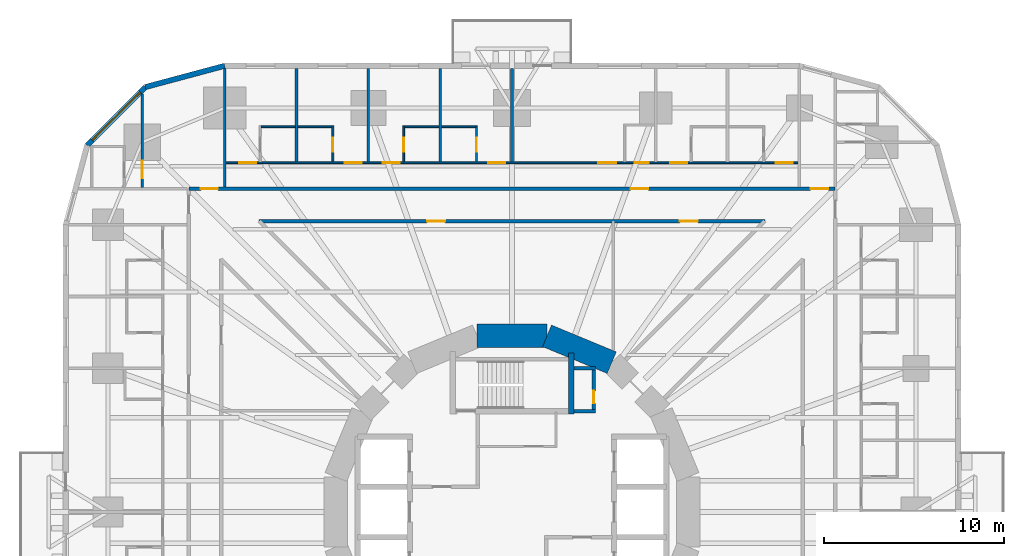
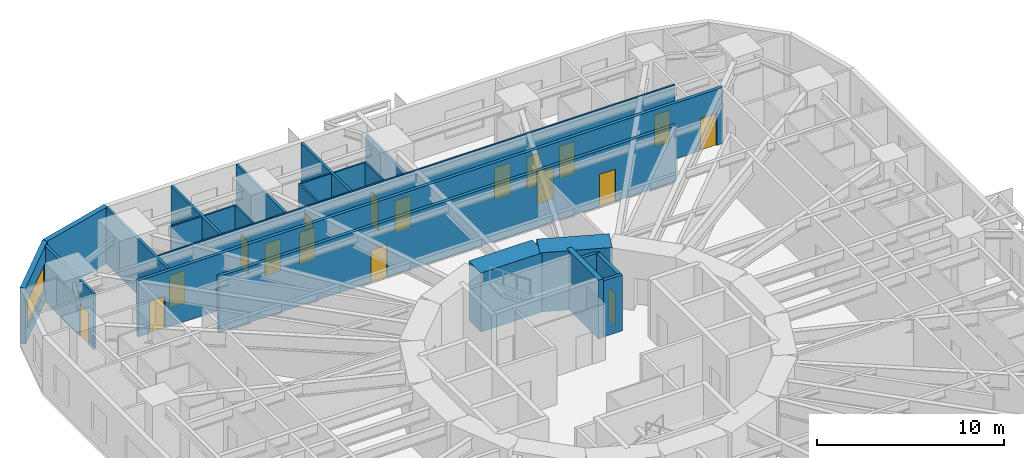
# One storey, part 10 of 14: 24 walls, 18 doors, 1 window, 19 openings.
"""IFC4 building model written with IfcOpenShell, lengths in metres."""

from ifc_helpers import new_model, si_unit, direction, frame, frame_2d, origin, place, context, subcontext, project, spatial, rectangle, extrude, material, layer, layer_set, type_object, element, fill, save


model = new_model("IFC4")

# Units and contexts
model_context = context("Model", 3, precision=1e-05, world=origin(), true_north=direction((0.0, 1.0)))
body_context = subcontext(model_context, "Body", "Model", "MODEL_VIEW")
ifc_project = project(units=[si_unit("LENGTHUNIT", "METRE"), si_unit("AREAUNIT", "SQUARE_METRE"), si_unit("VOLUMEUNIT", "CUBIC_METRE"), si_unit("PLANEANGLEUNIT", "RADIAN"), si_unit("MASSUNIT", "GRAM", prefix="KILO")], contexts=[model_context])

# Site, building, storey
site_placement = place(None, origin())
site = spatial("IfcSite", under=ifc_project, at=site_placement, CompositionType="ELEMENT")
building_placement = place(site_placement, origin())
building = spatial("IfcBuilding", under=site, at=building_placement, Name="Nakasero Lantern House", CompositionType="ELEMENT")
storey_placement = place(building_placement, frame((0.0, 0.0, 31.39990234375)))
storey = spatial("IfcBuildingStorey", under=building, at=storey_placement, Name="L07", CompositionType="ELEMENT", Elevation=31.39990234375)

# Wall, openings, doors
ifc_material_1 = material(Name="Blockwork", Category="masonry")
ifc_layer_1 = layer(ifc_material_1, 0.10009765625)
ifc_layer_set_1 = layer_set([ifc_layer_1], Name="Cluster hall wall 100")
wall_type_1 = type_object("IfcWallType", Name="Cluster hall wall 100", PredefinedType="PARTITIONING", material=ifc_layer_set_1)
wall_1_placement = place(storey_placement, frame((15.925048828125, 19.449951171875, 0.0), z_axis=(0.0, 0.0, 1.0), x_axis=(-1.0, 0.0, 0.0)))
wall_1 = element("IfcWall", 1, at=wall_1_placement, inside=storey, type_object=wall_type_1, Name="Cluster hall wall L07 HW1-0", PredefinedType="PARTITIONING", context=body_context, shape_type="SweptSolid", body=[
    extrude(rectangle(XDim=31.85009765625, YDim=0.10009765625, at=frame_2d((15.925048828125, 0.0))), origin(), (0.0, 0.0, 1.0), 3.650146484375),
])
opening_1_placement = place(wall_1_placement, frame((10.125, 0.0, 0.0)))
opening_1 = element("IfcOpeningElement", 2, at=opening_1_placement, cuts=wall_1, Name="Opening D03", PredefinedType="OPENING", context=body_context, shape_type="SweptSolid", body=[
    extrude(rectangle(XDim=1.0, YDim=2.10009765625, at=frame_2d((0.5, 1.050048828125))), frame((0.0, 0.070068359375, 0.0), z_axis=(0.0, -1.0, 0.0), x_axis=(1.0, 0.0, 0.0)), (0.0, 0.0, 1.0), 0.14013671875),
])
opening_2_placement = place(wall_1_placement, frame((8.300048828125, 0.0, 0.0)))
opening_2 = element("IfcOpeningElement", 3, at=opening_2_placement, cuts=wall_1, Name="Opening D02", PredefinedType="OPENING", context=body_context, shape_type="SweptSolid", body=[
    extrude(rectangle(XDim=0.800048828125, YDim=2.10009765625, at=frame_2d((0.39990234375, 1.050048828125))), frame((0.0, 0.070068359375, 0.0), z_axis=(0.0, -1.0, 0.0), x_axis=(1.0, 0.0, 0.0)), (0.0, 0.0, 1.0), 0.14013671875),
])
opening_3_placement = place(wall_1_placement, frame((0.300048828125, 0.0, 0.0)))
opening_3 = element("IfcOpeningElement", 4, at=opening_3_placement, cuts=wall_1, Name="Opening D01", PredefinedType="OPENING", context=body_context, shape_type="SweptSolid", body=[
    extrude(rectangle(XDim=0.949951171875, YDim=2.10009765625, at=frame_2d((0.47509765625, 1.050048828125))), frame((0.0, 0.070068359375, 0.0), z_axis=(0.0, -1.0, 0.0), x_axis=(1.0, 0.0, 0.0)), (0.0, 0.0, 1.0), 0.14013671875),
])
opening_4_placement = place(wall_1_placement, frame((6.175048828125, 0.0, 0.0)))
opening_4 = element("IfcOpeningElement", 5, at=opening_4_placement, cuts=wall_1, Name="Opening D01", PredefinedType="OPENING", context=body_context, shape_type="SweptSolid", body=[
    extrude(rectangle(XDim=0.949951171875, YDim=2.10009765625, at=frame_2d((0.47509765625, 1.050048828125))), frame((0.0, 0.070068359375, 0.0), z_axis=(0.0, -1.0, 0.0), x_axis=(1.0, 0.0, 0.0)), (0.0, 0.0, 1.0), 0.14013671875),
])
opening_5_placement = place(wall_1_placement, frame((16.300048828125, 0.0, 0.0)))
opening_5 = element("IfcOpeningElement", 6, at=opening_5_placement, cuts=wall_1, Name="Opening D01", PredefinedType="OPENING", context=body_context, shape_type="SweptSolid", body=[
    extrude(rectangle(XDim=0.949951171875, YDim=2.10009765625, at=frame_2d((0.47509765625, 1.050048828125))), frame((0.0, 0.070068359375, 0.0), z_axis=(0.0, -1.0, 0.0), x_axis=(1.0, 0.0, 0.0)), (0.0, 0.0, 1.0), 0.14013671875),
])
opening_6_placement = place(wall_1_placement, frame((22.175048828125, 0.0, 0.0)))
opening_6 = element("IfcOpeningElement", 7, at=opening_6_placement, cuts=wall_1, Name="Opening D01", PredefinedType="OPENING", context=body_context, shape_type="SweptSolid", body=[
    extrude(rectangle(XDim=0.949951171875, YDim=2.10009765625, at=frame_2d((0.47509765625, 1.050048828125))), frame((0.0, 0.070068359375, 0.0), z_axis=(0.0, -1.0, 0.0), x_axis=(1.0, 0.0, 0.0)), (0.0, 0.0, 1.0), 0.14013671875),
])
opening_7_placement = place(wall_1_placement, frame((24.300048828125, 0.0, 0.0)))
opening_7 = element("IfcOpeningElement", 8, at=opening_7_placement, cuts=wall_1, Name="Opening D01", PredefinedType="OPENING", context=body_context, shape_type="SweptSolid", body=[
    extrude(rectangle(XDim=0.949951171875, YDim=2.10009765625, at=frame_2d((0.47509765625, 1.050048828125))), frame((0.0, 0.070068359375, 0.0), z_axis=(0.0, -1.0, 0.0), x_axis=(1.0, 0.0, 0.0)), (0.0, 0.0, 1.0), 0.14013671875),
])
opening_8_placement = place(wall_1_placement, frame((30.175048828125, 0.0, 0.0)))
opening_8 = element("IfcOpeningElement", 9, at=opening_8_placement, cuts=wall_1, Name="Opening D01", PredefinedType="OPENING", context=body_context, shape_type="SweptSolid", body=[
    extrude(rectangle(XDim=0.949951171875, YDim=2.10009765625, at=frame_2d((0.47509765625, 1.050048828125))), frame((0.0, 0.070068359375, 0.0), z_axis=(0.0, -1.0, 0.0), x_axis=(1.0, 0.0, 0.0)), (0.0, 0.0, 1.0), 0.14013671875),
])
ifc_material_2 = material(Name="Timber C24", Category="wood")
door_type_1 = type_object("IfcDoorType", Name="Bedroom door FD30S 950", OperationType="SINGLE_SWING_LEFT", PredefinedType="DOOR", material=ifc_material_2)
door_1_placement = place(opening_3_placement, origin())
door_1 = element("IfcDoor", 10, at=door_1_placement, inside=storey, type_object=door_type_1, Name="Door L07 D1-01", OperationType="SINGLE_SWING_LEFT", OverallHeight=2.10009765625, OverallWidth=0.949951171875, PredefinedType="DOOR", context=body_context, shape_type="SweptSolid", body=[
    extrude(rectangle(XDim=0.949951171875, YDim=2.10009765625, at=frame_2d((0.47509765625, 1.050048828125))), frame((0.0, 0.02490234375, 0.0), z_axis=(0.0, -1.0, 0.0), x_axis=(1.0, 0.0, 0.0)), (0.0, 0.0, 1.0), 0.050048828125),
])
fill(opening_3, door_1)
door_2_placement = place(opening_4_placement, origin())
door_2 = element("IfcDoor", 11, at=door_2_placement, inside=storey, type_object=door_type_1, Name="Door L07 D1-02", OperationType="SINGLE_SWING_LEFT", OverallHeight=2.10009765625, OverallWidth=0.949951171875, PredefinedType="DOOR", context=body_context, shape_type="SweptSolid", body=[
    extrude(rectangle(XDim=0.949951171875, YDim=2.10009765625, at=frame_2d((0.47509765625, 1.050048828125))), frame((0.0, 0.02490234375, 0.0), z_axis=(0.0, -1.0, 0.0), x_axis=(1.0, 0.0, 0.0)), (0.0, 0.0, 1.0), 0.050048828125),
])
fill(opening_4, door_2)
door_3_placement = place(opening_5_placement, origin())
door_3 = element("IfcDoor", 12, at=door_3_placement, inside=storey, type_object=door_type_1, Name="Door L07 D1-05", OperationType="SINGLE_SWING_RIGHT", OverallHeight=2.10009765625, OverallWidth=0.949951171875, PredefinedType="DOOR", context=body_context, shape_type="SweptSolid", body=[
    extrude(rectangle(XDim=0.949951171875, YDim=2.10009765625, at=frame_2d((0.47509765625, 1.050048828125))), frame((0.0, 0.02490234375, 0.0), z_axis=(0.0, -1.0, 0.0), x_axis=(1.0, 0.0, 0.0)), (0.0, 0.0, 1.0), 0.050048828125),
])
fill(opening_5, door_3)
door_4_placement = place(opening_6_placement, origin())
door_4 = element("IfcDoor", 13, at=door_4_placement, inside=storey, type_object=door_type_1, Name="Door L07 D1-06", OperationType="SINGLE_SWING_RIGHT", OverallHeight=2.10009765625, OverallWidth=0.949951171875, PredefinedType="DOOR", context=body_context, shape_type="SweptSolid", body=[
    extrude(rectangle(XDim=0.949951171875, YDim=2.10009765625, at=frame_2d((0.47509765625, 1.050048828125))), frame((0.0, 0.02490234375, 0.0), z_axis=(0.0, -1.0, 0.0), x_axis=(1.0, 0.0, 0.0)), (0.0, 0.0, 1.0), 0.050048828125),
])
fill(opening_6, door_4)
door_5_placement = place(opening_7_placement, origin())
door_5 = element("IfcDoor", 14, at=door_5_placement, inside=storey, type_object=door_type_1, Name="Door L07 D1-07", OperationType="SINGLE_SWING_RIGHT", OverallHeight=2.10009765625, OverallWidth=0.949951171875, PredefinedType="DOOR", context=body_context, shape_type="SweptSolid", body=[
    extrude(rectangle(XDim=0.949951171875, YDim=2.10009765625, at=frame_2d((0.47509765625, 1.050048828125))), frame((0.0, 0.02490234375, 0.0), z_axis=(0.0, -1.0, 0.0), x_axis=(1.0, 0.0, 0.0)), (0.0, 0.0, 1.0), 0.050048828125),
])
fill(opening_7, door_5)
door_6_placement = place(opening_8_placement, origin())
door_6 = element("IfcDoor", 15, at=door_6_placement, inside=storey, type_object=door_type_1, Name="Door L07 D1-08", OperationType="SINGLE_SWING_RIGHT", OverallHeight=2.10009765625, OverallWidth=0.949951171875, PredefinedType="DOOR", context=body_context, shape_type="SweptSolid", body=[
    extrude(rectangle(XDim=0.949951171875, YDim=2.10009765625, at=frame_2d((0.47509765625, 1.050048828125))), frame((0.0, 0.02490234375, 0.0), z_axis=(0.0, -1.0, 0.0), x_axis=(1.0, 0.0, 0.0)), (0.0, 0.0, 1.0), 0.050048828125),
])
fill(opening_8, door_6)
ifc_material_3 = material(Name="Timber C24", Category="wood")
door_type_2 = type_object("IfcDoorType", Name="En-suite door 800", OperationType="SINGLE_SWING_RIGHT", PredefinedType="DOOR", material=ifc_material_3)
door_7_placement = place(opening_2_placement, origin())
door_7 = element("IfcDoor", 16, at=door_7_placement, inside=storey, type_object=door_type_2, Name="Door L07 DSH1-0", OperationType="SINGLE_SWING_LEFT", OverallHeight=2.10009765625, OverallWidth=0.800048828125, PredefinedType="DOOR", context=body_context, shape_type="SweptSolid", body=[
    extrude(rectangle(XDim=0.800048828125, YDim=2.10009765625, at=frame_2d((0.39990234375, 1.050048828125))), frame((0.0, 0.02490234375, 0.0), z_axis=(0.0, -1.0, 0.0), x_axis=(1.0, 0.0, 0.0)), (0.0, 0.0, 1.0), 0.050048828125),
])
fill(opening_2, door_7)
ifc_material_4 = material(Name="Timber C24", Category="wood")
door_type_3 = type_object("IfcDoorType", Name="Lounge door FD30S 1000", OperationType="SINGLE_SWING_LEFT", PredefinedType="DOOR", material=ifc_material_4)
door_8_placement = place(opening_1_placement, origin())
door_8 = element("IfcDoor", 17, at=door_8_placement, inside=storey, type_object=door_type_3, Name="Door L07 DH1-0", OperationType="SINGLE_SWING_LEFT", OverallHeight=2.10009765625, OverallWidth=1.0, PredefinedType="DOOR", context=body_context, shape_type="SweptSolid", body=[
    extrude(rectangle(XDim=1.0, YDim=2.10009765625, at=frame_2d((0.5, 1.050048828125))), frame((0.0, 0.02490234375, 0.0), z_axis=(0.0, -1.0, 0.0), x_axis=(1.0, 0.0, 0.0)), (0.0, 0.0, 1.0), 0.050048828125),
])
fill(opening_1, door_8)

# Walls
ifc_material_5 = material(Name="Concrete C50/60", Category="concrete")
ifc_layer_2 = layer(ifc_material_5, 0.300048828125)
ifc_layer_set_2 = layer_set([ifc_layer_2], Name="Core inner wall 300")
wall_type_2 = type_object("IfcWallType", Name="Core inner wall 300", PredefinedType="SHEAR", material=ifc_layer_set_2)
wall_2_placement = place(storey_placement, frame((3.300048828125, 5.449951171875, 0.0), z_axis=(0.0, 0.0, 1.0), x_axis=(0.0, 1.0, 0.0)))
element("IfcWall", 18, at=wall_2_placement, inside=storey, type_object=wall_type_2, Name="Core inner wall L07 SNE", PredefinedType="SHEAR", context=body_context, shape_type="SweptSolid", body=[
    extrude(rectangle(XDim=3.400146484375, YDim=0.300048828125, at=frame_2d((1.7001953125, 0.0))), origin(), (0.0, 0.0, 1.0), 3.85009765625),
])
ifc_material_6 = material(Name="Concrete C50/60", Category="concrete")
ifc_layer_3 = layer(ifc_material_6, 1.300048828125)
ifc_layer_set_3 = layer_set([ifc_layer_3], Name="Core wall 1300")
wall_type_3 = type_object("IfcWallType", Name="Core wall 1300", PredefinedType="SHEAR", material=ifc_layer_set_3)
for number, where, z_axis, x_axis, name in (
    (19, (5.5556640625, 8.314697265625, 0.0), (0.0, 0.0, 1.0), (-0.923876507187, 0.382690736062, 0.0), "Core wall L07 facet 3"),
    (20, (1.950927734375, 9.807861328125, 0.0), (0.0, 0.0, 1.0), (-1.0, 0.0, 0.0), "Core wall L07 facet 4"),
):
    element("IfcWall", number, at=place(storey_placement, frame(where, z_axis=z_axis, x_axis=x_axis)), inside=storey, type_object=wall_type_3, Name=name, PredefinedType="SHEAR", context=body_context, shape_type="SweptSolid", body=[
        extrude(rectangle(XDim=3.90185546875, YDim=1.300048828125, at=frame_2d((1.950927734375, 0.0))), origin(), (0.0, 0.0, 1.0), 3.85009765625),
    ])

# Wall, openings, doors
ifc_material_7 = material(Name="Blockwork", Category="masonry")
ifc_layer_4 = layer(ifc_material_7, 0.199951171875)
ifc_layer_set_4 = layer_set([ifc_layer_4], Name="Corridor wall 200")
wall_type_4 = type_object("IfcWallType", Name="Corridor wall 200", PredefinedType="PARTITIONING", material=ifc_layer_set_4)
wall_3_placement = place(storey_placement, frame((18.0, 18.0, 0.0), z_axis=(0.0, 0.0, 1.0), x_axis=(-1.0, 0.0, 0.0)))
wall_3 = element("IfcWall", 21, at=wall_3_placement, inside=storey, type_object=wall_type_4, Name="Corridor wall L07 CW1", PredefinedType="PARTITIONING", context=body_context, shape_type="SweptSolid", body=[
    extrude(rectangle(XDim=36.0, YDim=0.199951171875, at=frame_2d((18.0, 0.0))), origin(), (0.0, 0.0, 1.0), 3.650146484375),
])
opening_9_placement = place(wall_3_placement, frame((10.39990234375, 0.0, 0.0)))
opening_9 = element("IfcOpeningElement", 22, at=opening_9_placement, cuts=wall_3, Name="Opening D14", PredefinedType="OPENING", context=body_context, shape_type="SweptSolid", body=[
    extrude(rectangle(XDim=1.0, YDim=2.10009765625, at=frame_2d((0.5, 1.050048828125))), frame((0.0, 0.119873046875, 0.0), z_axis=(0.0, -1.0, 0.0), x_axis=(1.0, 0.0, 0.0)), (0.0, 0.0, 1.0), 0.239990234375),
])
opening_10_placement = place(wall_3_placement, frame((0.375, 0.0, 0.0)))
opening_10 = element("IfcOpeningElement", 23, at=opening_10_placement, cuts=wall_3, Name="Opening D07", PredefinedType="OPENING", context=body_context, shape_type="SweptSolid", body=[
    extrude(rectangle(XDim=1.0, YDim=2.10009765625, at=frame_2d((0.5, 1.050048828125))), frame((0.0, 0.119873046875, 0.0), z_axis=(0.0, -1.0, 0.0), x_axis=(1.0, 0.0, 0.0)), (0.0, 0.0, 1.0), 0.239990234375),
])
opening_11_placement = place(wall_3_placement, frame((34.375, 0.0, 0.0)))
opening_11 = element("IfcOpeningElement", 24, at=opening_11_placement, cuts=wall_3, Name="Opening D01", PredefinedType="OPENING", context=body_context, shape_type="SweptSolid", body=[
    extrude(rectangle(XDim=0.949951171875, YDim=2.10009765625, at=frame_2d((0.47509765625, 1.050048828125))), frame((0.0, 0.119873046875, 0.0), z_axis=(0.0, -1.0, 0.0), x_axis=(1.0, 0.0, 0.0)), (0.0, 0.0, 1.0), 0.239990234375),
])
door_9_placement = place(opening_11_placement, origin())
door_9 = element("IfcDoor", 25, at=door_9_placement, inside=storey, type_object=door_type_1, Name="Door L07 D1-09", OperationType="SINGLE_SWING_RIGHT", OverallHeight=2.10009765625, OverallWidth=0.949951171875, PredefinedType="DOOR", context=body_context, shape_type="SweptSolid", body=[
    extrude(rectangle(XDim=0.949951171875, YDim=2.10009765625, at=frame_2d((0.47509765625, 1.050048828125))), frame((0.0, 0.02490234375, 0.0), z_axis=(0.0, -1.0, 0.0), x_axis=(1.0, 0.0, 0.0)), (0.0, 0.0, 1.0), 0.050048828125),
])
fill(opening_11, door_9)
ifc_material_8 = material(Name="Timber C24", Category="wood")
door_type_4 = type_object("IfcDoorType", Name="Cluster entrance door FD30S 1000", OperationType="SINGLE_SWING_LEFT", PredefinedType="DOOR", material=ifc_material_8)
door_10_placement = place(opening_9_placement, origin())
door_10 = element("IfcDoor", 26, at=door_10_placement, inside=storey, type_object=door_type_4, Name="Door L07 DF1-0", OperationType="SINGLE_SWING_LEFT", OverallHeight=2.10009765625, OverallWidth=1.0, PredefinedType="DOOR", context=body_context, shape_type="SweptSolid", body=[
    extrude(rectangle(XDim=1.0, YDim=2.10009765625, at=frame_2d((0.5, 1.050048828125))), frame((0.0, 0.02490234375, 0.0), z_axis=(0.0, -1.0, 0.0), x_axis=(1.0, 0.0, 0.0)), (0.0, 0.0, 1.0), 0.050048828125),
])
fill(opening_9, door_10)
ifc_material_9 = material(Name="Timber C24", Category="wood")
door_type_5 = type_object("IfcDoorType", Name="Room door FD30S 1000", OperationType="SINGLE_SWING_LEFT", PredefinedType="DOOR", material=ifc_material_9)
door_11_placement = place(opening_10_placement, origin())
door_11 = element("IfcDoor", 27, at=door_11_placement, inside=storey, type_object=door_type_5, Name="Door L07 D1-00", OperationType="SINGLE_SWING_LEFT", OverallHeight=2.10009765625, OverallWidth=1.0, PredefinedType="DOOR", context=body_context, shape_type="SweptSolid", body=[
    extrude(rectangle(XDim=1.0, YDim=2.10009765625, at=frame_2d((0.5, 1.050048828125))), frame((0.0, 0.02490234375, 0.0), z_axis=(0.0, -1.0, 0.0), x_axis=(1.0, 0.0, 0.0)), (0.0, 0.0, 1.0), 0.050048828125),
])
fill(opening_10, door_11)

wall_4_placement = place(storey_placement, frame((14.07861328125, 16.199951171875, 0.0), z_axis=(0.0, 0.0, 1.0), x_axis=(-1.0, 0.0, 0.0)))
wall_4 = element("IfcWall", 28, at=wall_4_placement, inside=storey, type_object=wall_type_4, Name="Corridor wall L07 IW1-0", PredefinedType="PARTITIONING", context=body_context, shape_type="SweptSolid", body=[
    extrude(rectangle(XDim=28.1572265625, YDim=0.199951171875, at=frame_2d((14.07861328125, 0.0))), origin(), (0.0, 0.0, 1.0), 3.650146484375),
])
opening_12_placement = place(wall_4_placement, frame((3.7236328125, 0.0, 0.0)))
opening_12 = element("IfcOpeningElement", 29, at=opening_12_placement, cuts=wall_4, Name="Opening D07", PredefinedType="OPENING", context=body_context, shape_type="SweptSolid", body=[
    extrude(rectangle(XDim=1.0, YDim=2.10009765625, at=frame_2d((0.5, 1.050048828125))), frame((0.0, 0.119873046875, 0.0), z_axis=(0.0, -1.0, 0.0), x_axis=(1.0, 0.0, 0.0)), (0.0, 0.0, 1.0), 0.239990234375),
])
opening_13_placement = place(wall_4_placement, frame((17.80224609375, 0.0, 0.0)))
opening_13 = element("IfcOpeningElement", 30, at=opening_13_placement, cuts=wall_4, Name="Opening D07", PredefinedType="OPENING", context=body_context, shape_type="SweptSolid", body=[
    extrude(rectangle(XDim=1.0, YDim=2.10009765625, at=frame_2d((0.5, 1.050048828125))), frame((0.0, 0.119873046875, 0.0), z_axis=(0.0, -1.0, 0.0), x_axis=(1.0, 0.0, 0.0)), (0.0, 0.0, 1.0), 0.239990234375),
])
door_12_placement = place(opening_12_placement, origin())
door_12 = element("IfcDoor", 31, at=door_12_placement, inside=storey, type_object=door_type_5, Name="Door L07 DI2", OperationType="SINGLE_SWING_LEFT", OverallHeight=2.10009765625, OverallWidth=1.0, PredefinedType="DOOR", context=body_context, shape_type="SweptSolid", body=[
    extrude(rectangle(XDim=1.0, YDim=2.10009765625, at=frame_2d((0.5, 1.050048828125))), frame((0.0, 0.02490234375, 0.0), z_axis=(0.0, -1.0, 0.0), x_axis=(1.0, 0.0, 0.0)), (0.0, 0.0, 1.0), 0.050048828125),
])
fill(opening_12, door_12)
door_13_placement = place(opening_13_placement, origin())
door_13 = element("IfcDoor", 32, at=door_13_placement, inside=storey, type_object=door_type_5, Name="Door L07 DI2S", OperationType="SINGLE_SWING_RIGHT", OverallHeight=2.10009765625, OverallWidth=1.0, PredefinedType="DOOR", context=body_context, shape_type="SweptSolid", body=[
    extrude(rectangle(XDim=1.0, YDim=2.10009765625, at=frame_2d((0.5, 1.050048828125))), frame((0.0, 0.02490234375, 0.0), z_axis=(0.0, -1.0, 0.0), x_axis=(1.0, 0.0, 0.0)), (0.0, 0.0, 1.0), 0.050048828125),
])
fill(opening_13, door_13)

# Wall, opening, door
ifc_material_10 = material(Name="Blockwork", Category="masonry")
ifc_layer_5 = layer(ifc_material_10, 0.10009765625)
ifc_layer_set_5 = layer_set([ifc_layer_5], Name="En-suite wall 100")
wall_type_5 = type_object("IfcWallType", Name="En-suite wall 100", PredefinedType="PARTITIONING", material=ifc_layer_set_5)
wall_5_placement = place(storey_placement, frame((-1.97509765625, 19.5, 0.0), z_axis=(0.0, 0.0, 1.0), x_axis=(0.0, 1.0, 0.0)))
wall_5 = element("IfcWall", 33, at=wall_5_placement, inside=storey, type_object=wall_type_5, Name="En-suite wall L07 ES1-05", PredefinedType="PARTITIONING", context=body_context, shape_type="SweptSolid", body=[
    extrude(rectangle(XDim=2.0, YDim=0.10009765625, at=frame_2d((1.0, 0.0))), origin(), (0.0, 0.0, 1.0), 3.650146484375),
])
opening_14_placement = place(wall_5_placement, frame((0.550048828125, 0.0, 0.0)))
opening_14 = element("IfcOpeningElement", 34, at=opening_14_placement, cuts=wall_5, Name="Opening D02", PredefinedType="OPENING", context=body_context, shape_type="SweptSolid", body=[
    extrude(rectangle(XDim=0.800048828125, YDim=2.10009765625, at=frame_2d((0.39990234375, 1.050048828125))), frame((0.0, 0.070068359375, 0.0), z_axis=(0.0, -1.0, 0.0), x_axis=(1.0, 0.0, 0.0)), (0.0, 0.0, 1.0), 0.14013671875),
])
door_14_placement = place(opening_14_placement, origin())
door_14 = element("IfcDoor", 35, at=door_14_placement, inside=storey, type_object=door_type_2, Name="Door L07 DE1-05", OperationType="SINGLE_SWING_LEFT", OverallHeight=2.10009765625, OverallWidth=0.800048828125, PredefinedType="DOOR", context=body_context, shape_type="SweptSolid", body=[
    extrude(rectangle(XDim=0.800048828125, YDim=2.10009765625, at=frame_2d((0.39990234375, 1.050048828125))), frame((0.0, 0.02490234375, 0.0), z_axis=(0.0, -1.0, 0.0), x_axis=(1.0, 0.0, 0.0)), (0.0, 0.0, 1.0), 0.050048828125),
])
fill(opening_14, door_14)

# Wall
wall_6_placement = place(storey_placement, frame((-2.02490234375, 21.449951171875, 0.0), z_axis=(0.0, 0.0, 1.0), x_axis=(-1.0, 0.0, 0.0)))
element("IfcWall", 36, at=wall_6_placement, inside=storey, type_object=wall_type_5, Name="En-suite wall L07 EE1-05", PredefinedType="PARTITIONING", context=body_context, shape_type="SweptSolid", body=[
    extrude(rectangle(XDim=1.900146484375, YDim=0.10009765625, at=frame_2d((0.9501953125, 0.0))), origin(), (0.0, 0.0, 1.0), 3.650146484375),
])

# Wall, opening, door
wall_7_placement = place(storey_placement, frame((-6.02490234375, 19.5, 0.0), z_axis=(0.0, 0.0, 1.0), x_axis=(0.0, 1.0, 0.0)))
wall_7 = element("IfcWall", 37, at=wall_7_placement, inside=storey, type_object=wall_type_5, Name="En-suite wall L07 ES1-06", PredefinedType="PARTITIONING", context=body_context, shape_type="SweptSolid", body=[
    extrude(rectangle(XDim=2.0, YDim=0.10009765625, at=frame_2d((1.0, 0.0))), origin(), (0.0, 0.0, 1.0), 3.650146484375),
])
opening_15_placement = place(wall_7_placement, frame((0.550048828125, 0.0, 0.0)))
opening_15 = element("IfcOpeningElement", 38, at=opening_15_placement, cuts=wall_7, Name="Opening D02", PredefinedType="OPENING", context=body_context, shape_type="SweptSolid", body=[
    extrude(rectangle(XDim=0.800048828125, YDim=2.10009765625, at=frame_2d((0.39990234375, 1.050048828125))), frame((0.0, 0.070068359375, 0.0), z_axis=(0.0, -1.0, 0.0), x_axis=(1.0, 0.0, 0.0)), (0.0, 0.0, 1.0), 0.14013671875),
])
door_15_placement = place(opening_15_placement, origin())
door_15 = element("IfcDoor", 39, at=door_15_placement, inside=storey, type_object=door_type_2, Name="Door L07 DE1-06", OperationType="SINGLE_SWING_LEFT", OverallHeight=2.10009765625, OverallWidth=0.800048828125, PredefinedType="DOOR", context=body_context, shape_type="SweptSolid", body=[
    extrude(rectangle(XDim=0.800048828125, YDim=2.10009765625, at=frame_2d((0.39990234375, 1.050048828125))), frame((0.0, 0.02490234375, 0.0), z_axis=(0.0, -1.0, 0.0), x_axis=(1.0, 0.0, 0.0)), (0.0, 0.0, 1.0), 0.050048828125),
])
fill(opening_15, door_15)

# Wall
wall_8_placement = place(storey_placement, frame((-4.074951171875, 21.449951171875, 0.0), z_axis=(0.0, 0.0, 1.0), x_axis=(-1.0, 0.0, 0.0)))
element("IfcWall", 40, at=wall_8_placement, inside=storey, type_object=wall_type_5, Name="En-suite wall L07 EE1-06", PredefinedType="PARTITIONING", context=body_context, shape_type="SweptSolid", body=[
    extrude(rectangle(XDim=1.900146484375, YDim=0.10009765625, at=frame_2d((0.9501953125, 0.0))), origin(), (0.0, 0.0, 1.0), 3.650146484375),
])

# Wall, opening, door
wall_9_placement = place(storey_placement, frame((-9.97509765625, 19.5, 0.0), z_axis=(0.0, 0.0, 1.0), x_axis=(0.0, 1.0, 0.0)))
wall_9 = element("IfcWall", 41, at=wall_9_placement, inside=storey, type_object=wall_type_5, Name="En-suite wall L07 ES1-07", PredefinedType="PARTITIONING", context=body_context, shape_type="SweptSolid", body=[
    extrude(rectangle(XDim=2.0, YDim=0.10009765625, at=frame_2d((1.0, 0.0))), origin(), (0.0, 0.0, 1.0), 3.650146484375),
])
opening_16_placement = place(wall_9_placement, frame((0.550048828125, 0.0, 0.0)))
opening_16 = element("IfcOpeningElement", 42, at=opening_16_placement, cuts=wall_9, Name="Opening D02", PredefinedType="OPENING", context=body_context, shape_type="SweptSolid", body=[
    extrude(rectangle(XDim=0.800048828125, YDim=2.10009765625, at=frame_2d((0.39990234375, 1.050048828125))), frame((0.0, 0.070068359375, 0.0), z_axis=(0.0, -1.0, 0.0), x_axis=(1.0, 0.0, 0.0)), (0.0, 0.0, 1.0), 0.14013671875),
])
door_16_placement = place(opening_16_placement, origin())
door_16 = element("IfcDoor", 43, at=door_16_placement, inside=storey, type_object=door_type_2, Name="Door L07 DE1-07", OperationType="SINGLE_SWING_LEFT", OverallHeight=2.10009765625, OverallWidth=0.800048828125, PredefinedType="DOOR", context=body_context, shape_type="SweptSolid", body=[
    extrude(rectangle(XDim=0.800048828125, YDim=2.10009765625, at=frame_2d((0.39990234375, 1.050048828125))), frame((0.0, 0.02490234375, 0.0), z_axis=(0.0, -1.0, 0.0), x_axis=(1.0, 0.0, 0.0)), (0.0, 0.0, 1.0), 0.050048828125),
])
fill(opening_16, door_16)

# Walls
for number, where, z_axis, x_axis, name in (
    (44, (-10.02490234375, 21.449951171875, 0.0), (0.0, 0.0, 1.0), (-1.0, 0.0, 0.0), "En-suite wall L07 EE1-07"),
    (45, (-12.074951171875, 21.449951171875, 0.0), (0.0, 0.0, 1.0), (-1.0, 0.0, 0.0), "En-suite wall L07 EE1-08"),
):
    element("IfcWall", number, at=place(storey_placement, frame(where, z_axis=z_axis, x_axis=x_axis)), inside=storey, type_object=wall_type_5, Name=name, PredefinedType="PARTITIONING", context=body_context, shape_type="SweptSolid", body=[
        extrude(rectangle(XDim=1.900146484375, YDim=0.10009765625, at=frame_2d((0.9501953125, 0.0))), origin(), (0.0, 0.0, 1.0), 3.650146484375),
    ])
ifc_material_11 = material(Name="Aluminium rainscreen on blockwork", Category="masonry")
ifc_layer_6 = layer(ifc_material_11, 0.300048828125)
ifc_layer_set_6 = layer_set([ifc_layer_6], Name="Facade wall 300")
wall_type_6 = type_object("IfcWallType", Name="Facade wall 300", PredefinedType="SOLIDWALL", material=ifc_layer_set_6)
wall_10_placement = place(storey_placement, frame((-16.0, 24.85009765625, 0.0), z_axis=(0.0, 0.0, 1.0), x_axis=(-0.965920218567, -0.258839972501, 0.0)))
element("IfcWall", 46, at=wall_10_placement, inside=storey, type_object=wall_type_6, Name="Facade wall L07 FW1C1", PredefinedType="SOLIDWALL", context=body_context, shape_type="SweptSolid", body=[
    extrude(rectangle(XDim=4.5810546875, YDim=0.300048828125, at=frame_2d((2.29052734375, 0.0))), origin(), (0.0, 0.0, 1.0), 3.650146484375),
])

# Wall, opening, window
wall_11_placement = place(storey_placement, frame((-20.425048828125, 23.664306640625, 0.0), z_axis=(0.0, 0.0, 1.0), x_axis=(-0.707106781187, -0.707106781187, 0.0)))
wall_11 = element("IfcWall", 47, at=wall_11_placement, inside=storey, type_object=wall_type_6, Name="Facade wall L07 FW1C2", PredefinedType="SOLIDWALL", context=body_context, shape_type="SweptSolid", body=[
    extrude(rectangle(XDim=4.5810546875, YDim=0.300048828125, at=frame_2d((2.29052734375, 0.0))), origin(), (0.0, 0.0, 1.0), 3.650146484375),
])
opening_17_placement = place(wall_11_placement, frame((0.39990234375, 0.0, 0.75)))
opening_17 = element("IfcOpeningElement", 48, at=opening_17_placement, cuts=wall_11, Name="Opening W237", PredefinedType="OPENING", context=body_context, shape_type="SweptSolid", body=[
    extrude(rectangle(XDim=3.781005859375, YDim=1.800048828125, at=frame_2d((1.890625, 0.89990234375))), frame((0.0, 0.169921875, 0.0), z_axis=(0.0, -1.0, 0.0), x_axis=(1.0, 0.0, 0.0)), (0.0, 0.0, 1.0), 0.340087890625),
])
ifc_material_12 = material(Name="Aluminium 6063-T6 and glass", Category="aluminium")
window_type = type_object("IfcWindowType", Name="Corner window 3781x1800", PartitioningType="SINGLE_PANEL", PredefinedType="WINDOW", material=ifc_material_12)
window_placement = place(opening_17_placement, origin())
window = element("IfcWindow", 49, at=window_placement, inside=storey, type_object=window_type, Name="Window L07 WC1", OverallHeight=1.800048828125, OverallWidth=3.781005859375, PartitioningType="SINGLE_PANEL", PredefinedType="WINDOW", context=body_context, shape_type="SweptSolid", body=[
    extrude(rectangle(XDim=3.781005859375, YDim=1.800048828125, at=frame_2d((1.890625, 0.89990234375))), frame((0.0, 0.030029296875, 0.0), z_axis=(0.0, -1.0, 0.0), x_axis=(1.0, 0.0, 0.0)), (0.0, 0.0, 1.0), 0.06005859375),
])
fill(opening_17, window)

# Wall, opening, door
ifc_material_13 = material(Name="Blockwork", Category="masonry")
ifc_layer_7 = layer(ifc_material_13, 0.199951171875)
ifc_layer_set_7 = layer_set([ifc_layer_7], Name="Fire lobby wall 200")
wall_type_7 = type_object("IfcWallType", Name="Fire lobby wall 200", PredefinedType="PARTITIONING", material=ifc_layer_set_7)
wall_12_placement = place(storey_placement, frame((4.550048828125, 5.60009765625, 0.0), z_axis=(0.0, 0.0, 1.0), x_axis=(0.0, 1.0, 0.0)))
wall_12 = element("IfcWall", 50, at=wall_12_placement, inside=storey, type_object=wall_type_7, Name="Fire lobby wall L07 W-RS1E", PredefinedType="PARTITIONING", context=body_context, shape_type="SweptSolid", body=[
    extrude(rectangle(XDim=2.39990234375, YDim=0.199951171875, at=frame_2d((1.199951171875, 0.0))), origin(), (0.0, 0.0, 1.0), 3.650146484375),
])
opening_18_placement = place(wall_12_placement, frame((0.449951171875, 0.0, 0.0)))
opening_18 = element("IfcOpeningElement", 51, at=opening_18_placement, cuts=wall_12, Name="Opening D06", PredefinedType="OPENING", context=body_context, shape_type="SweptSolid", body=[
    extrude(rectangle(XDim=0.699951171875, YDim=2.10009765625, at=frame_2d((0.35009765625, 1.050048828125))), frame((0.0, 0.119873046875, 0.0), z_axis=(0.0, -1.0, 0.0), x_axis=(1.0, 0.0, 0.0)), (0.0, 0.0, 1.0), 0.239990234375),
])
ifc_material_14 = material(Name="Steel S355", Category="steel")
door_type_6 = type_object("IfcDoorType", Name="Riser door FD60 700", OperationType="SINGLE_SWING_LEFT", PredefinedType="DOOR", material=ifc_material_14)
door_17_placement = place(opening_18_placement, origin())
door_17 = element("IfcDoor", 52, at=door_17_placement, inside=storey, type_object=door_type_6, Name="Door L07 D-RS1", OperationType="SINGLE_SWING_LEFT", OverallHeight=2.10009765625, OverallWidth=0.699951171875, PredefinedType="DOOR", context=body_context, shape_type="SweptSolid", body=[
    extrude(rectangle(XDim=0.699951171875, YDim=2.10009765625, at=frame_2d((0.35009765625, 1.050048828125))), frame((0.0, 0.02490234375, 0.0), z_axis=(0.0, -1.0, 0.0), x_axis=(1.0, 0.0, 0.0)), (0.0, 0.0, 1.0), 0.050048828125),
])
fill(opening_18, door_17)

# Walls
for number, where, z_axis, x_axis, name in (
    (53, (3.449951171875, 8.0, 0.0), (0.0, 0.0, 1.0), (1.0, 0.0, 0.0), "Fire lobby wall L07 W-RS1N"),
    (54, (3.449951171875, 5.60009765625, 0.0), (0.0, 0.0, 1.0), (1.0, 0.0, 0.0), "Fire lobby wall L07 W-RS1S"),
):
    element("IfcWall", number, at=place(storey_placement, frame(where, z_axis=z_axis, x_axis=x_axis)), inside=storey, type_object=wall_type_7, Name=name, PredefinedType="PARTITIONING", context=body_context, shape_type="SweptSolid", body=[
        extrude(rectangle(XDim=1.199951171875, YDim=0.199951171875, at=frame_2d((0.60009765625, 0.0))), origin(), (0.0, 0.0, 1.0), 3.650146484375),
    ])
ifc_material_15 = material(Name="Blockwork", Category="masonry")
ifc_layer_8 = layer(ifc_material_15, 0.14990234375)
ifc_layer_set_8 = layer_set([ifc_layer_8], Name="Party wall 150")
wall_type_8 = type_object("IfcWallType", Name="Party wall 150", PredefinedType="PARTITIONING", material=ifc_layer_set_8)
wall_13_placement = place(storey_placement, frame((0.0, 19.5, 0.0), z_axis=(0.0, 0.0, 1.0), x_axis=(0.0, 1.0, 0.0)))
element("IfcWall", 55, at=wall_13_placement, inside=storey, type_object=wall_type_8, Name="Party wall L07 PW1-05", PredefinedType="PARTITIONING", context=body_context, shape_type="SweptSolid", body=[
    extrude(rectangle(XDim=5.199951171875, YDim=0.14990234375, at=frame_2d((2.60009765625, 0.0))), origin(), (0.0, 0.0, 1.0), 2.809326171875),
])
for number, where, z_axis, x_axis, name in (
    (56, (-4.0, 19.5, 0.0), (0.0, 0.0, 1.0), (0.0, 1.0, 0.0), "Party wall L07 PW1-06"),
    (57, (-8.0, 19.5, 0.0), (0.0, 0.0, 1.0), (0.0, 1.0, 0.0), "Party wall L07 PW1-07"),
    (58, (-12.0, 19.5, 0.0), (0.0, 0.0, 1.0), (0.0, 1.0, 0.0), "Party wall L07 PW1-08"),
):
    element("IfcWall", number, at=place(storey_placement, frame(where, z_axis=z_axis, x_axis=x_axis)), inside=storey, type_object=wall_type_8, Name=name, PredefinedType="PARTITIONING", context=body_context, shape_type="SweptSolid", body=[
        extrude(rectangle(XDim=5.199951171875, YDim=0.14990234375, at=frame_2d((2.60009765625, 0.0))), origin(), (0.0, 0.0, 1.0), 3.650146484375),
    ])
wall_14_placement = place(storey_placement, frame((-16.0, 18.10009765625, 0.0), z_axis=(0.0, 0.0, 1.0), x_axis=(0.0, 1.0, 0.0)))
element("IfcWall", 59, at=wall_14_placement, inside=storey, type_object=wall_type_8, Name="Party wall L07 PW1-09", PredefinedType="PARTITIONING", context=body_context, shape_type="SweptSolid", body=[
    extrude(rectangle(XDim=6.58935546875, YDim=0.14990234375, at=frame_2d((3.294677734375, 0.0))), origin(), (0.0, 0.0, 1.0), 3.650146484375),
])

# Wall, opening, door
wall_15_placement = place(storey_placement, frame((-20.59619140625, 18.06494140625, 0.0), z_axis=(0.0, 0.0, 1.0), x_axis=(0.0, 1.0, 0.0)))
wall_15 = element("IfcWall", 60, at=wall_15_placement, inside=storey, type_object=wall_type_8, Name="Party wall L07 PC1", PredefinedType="PARTITIONING", context=body_context, shape_type="SweptSolid", body=[
    extrude(rectangle(XDim=5.208740234375, YDim=0.14990234375, at=frame_2d((2.6044921875, 0.0))), origin(), (0.0, 0.0, 1.0), 3.650146484375),
])
opening_19_placement = place(wall_15_placement, frame((0.534912109375, 0.0, 0.0)))
opening_19 = element("IfcOpeningElement", 61, at=opening_19_placement, cuts=wall_15, Name="Opening D01", PredefinedType="OPENING", context=body_context, shape_type="SweptSolid", body=[
    extrude(rectangle(XDim=0.949951171875, YDim=2.10009765625, at=frame_2d((0.47509765625, 1.050048828125))), frame((0.0, 0.094970703125, 0.0), z_axis=(0.0, -1.0, 0.0), x_axis=(1.0, 0.0, 0.0)), (0.0, 0.0, 1.0), 0.18994140625),
])
door_18_placement = place(opening_19_placement, origin())
door_18 = element("IfcDoor", 62, at=door_18_placement, inside=storey, type_object=door_type_1, Name="Door L07 DC1", OperationType="SINGLE_SWING_LEFT", OverallHeight=2.10009765625, OverallWidth=0.949951171875, PredefinedType="DOOR", context=body_context, shape_type="SweptSolid", body=[
    extrude(rectangle(XDim=0.949951171875, YDim=2.10009765625, at=frame_2d((0.47509765625, 1.050048828125))), frame((0.0, 0.02490234375, 0.0), z_axis=(0.0, -1.0, 0.0), x_axis=(1.0, 0.0, 0.0)), (0.0, 0.0, 1.0), 0.050048828125),
])
fill(opening_19, door_18)

save(model, "model.ifc")
